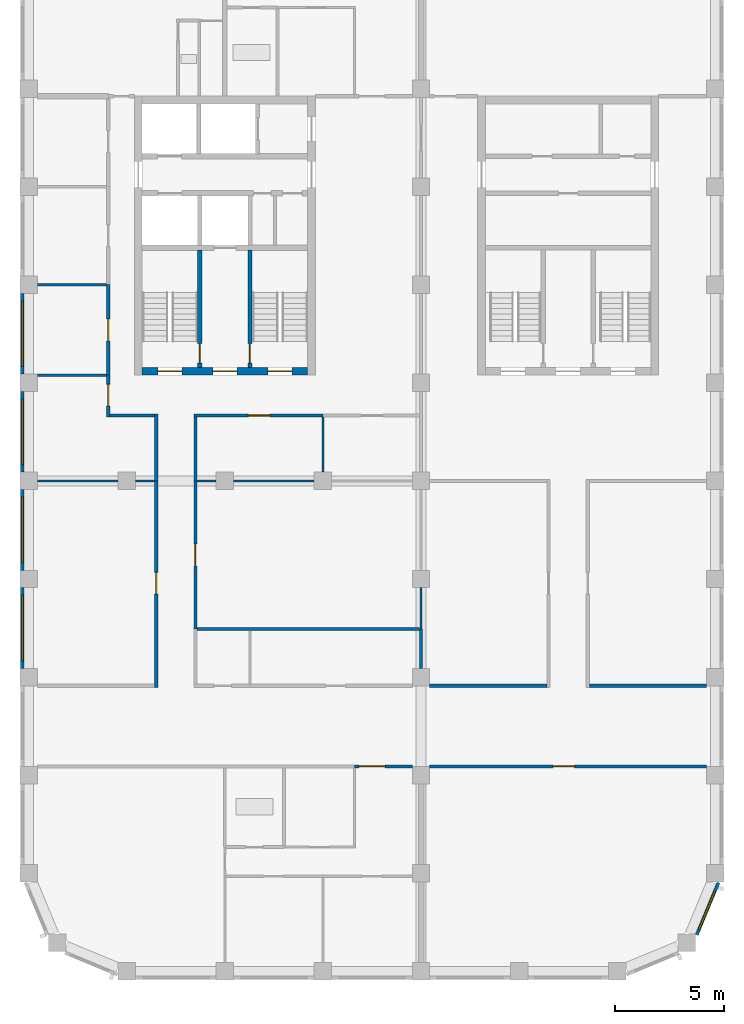
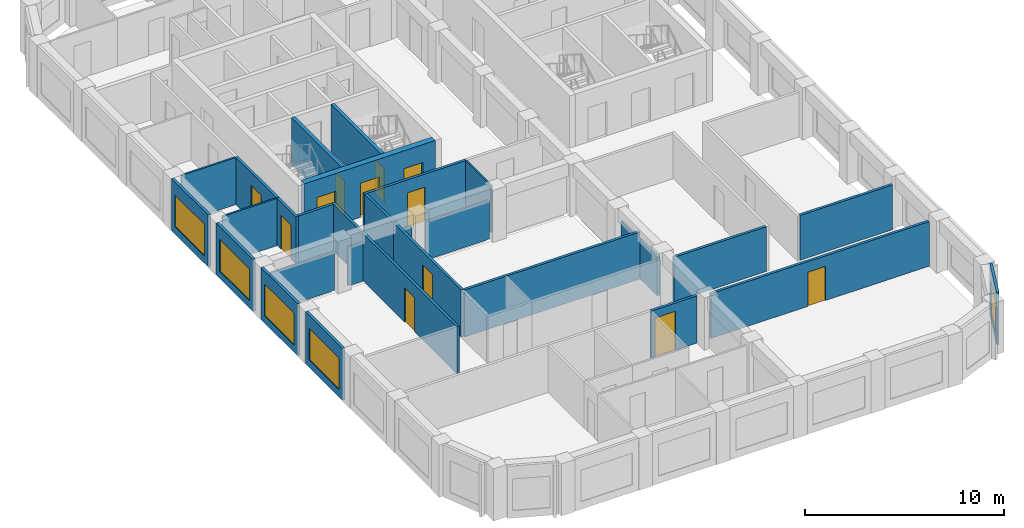
# One storey, part 3 of 9: 30 walls, 12 doors, 5 windows, 17 openings.
"""IFC4 building model written with IfcOpenShell, lengths in metres."""

from ifc_helpers import new_model, si_unit, direction, frame, frame_2d, origin, place, context, subcontext, project, spatial, rectangle, extrude, material, layer, layer_set, type_object, element, fill, save


model = new_model("IFC4")

# Units and contexts
model_context = context("Model", 3, precision=1e-05, world=origin(), true_north=direction((0.0, 1.0)))
body_context = subcontext(model_context, "Body", "Model", "MODEL_VIEW")
ifc_project = project(units=[si_unit("LENGTHUNIT", "METRE"), si_unit("AREAUNIT", "SQUARE_METRE"), si_unit("VOLUMEUNIT", "CUBIC_METRE"), si_unit("PLANEANGLEUNIT", "RADIAN"), si_unit("MASSUNIT", "GRAM", prefix="KILO")], contexts=[model_context])

# Site, building, storey
site_placement = place(None, origin())
site = spatial("IfcSite", under=ifc_project, at=site_placement, CompositionType="ELEMENT")
building_placement = place(site_placement, origin())
building = spatial("IfcBuilding", under=site, at=building_placement, Name="Girih Gate Residences", CompositionType="ELEMENT")
storey_placement = place(building_placement, frame((0.0, 0.0, 219.695068359375)))
storey = spatial("IfcBuildingStorey", under=building, at=storey_placement, Name="L61", CompositionType="ELEMENT", Elevation=219.695068359375)

# Wall, opening, door
ifc_material_1 = material(Name="Gypsum board on steel studs", Category="steel")
ifc_layer_1 = layer(ifc_material_1, 0.14990234375)
ifc_layer_set_1 = layer_set([ifc_layer_1], Name="Compartment wall 150 mm")
wall_type_1 = type_object("IfcWallType", Name="Compartment wall 150 mm", PredefinedType="PARTITIONING", material=ifc_layer_set_1)
wall_1_placement = place(storey_placement, frame((17.60009765625, 9.39990234375, 0.0), z_axis=(0.0, 0.0, 1.0), x_axis=(-1.0, 0.0, 0.0)))
wall_1 = element("IfcWall", 1, at=wall_1_placement, inside=storey, type_object=wall_type_1, Name="L61 partition", PredefinedType="PARTITIONING", context=body_context, shape_type="SweptSolid", body=[
    extrude(rectangle(XDim=2.650146484375, YDim=0.14990234375, at=frame_2d((1.3251953125, 0.0))), origin(), (0.0, 0.0, 1.0), 2.89990234375),
])
opening_1_placement = place(wall_1_placement, frame((1.25, 0.0, 0.0)))
opening_1 = element("IfcOpeningElement", 2, at=opening_1_placement, cuts=wall_1, Name="Opening A61-006", PredefinedType="OPENING", context=body_context, shape_type="SweptSolid", body=[
    extrude(rectangle(XDim=1.199951171875, YDim=2.39990234375, at=frame_2d((0.60009765625, 1.199951171875))), frame((0.0, 0.0849609375, 0.0), z_axis=(0.0, -1.0, 0.0), x_axis=(1.0, 0.0, 0.0)), (0.0, 0.0, 1.0), 0.169921875),
])
ifc_material_2 = material(Name="Timber, fire-rated core", Category="wood")
door_type_1 = type_object("IfcDoorType", Name="Villa entrance door 1200x2400 FD30S", OperationType="NOTDEFINED", PredefinedType="DOOR", material=ifc_material_2)
door_1_placement = place(opening_1_placement, origin())
door_1 = element("IfcDoor", 3, at=door_1_placement, inside=storey, type_object=door_type_1, Name="Door A61-006", OperationType="SINGLE_SWING_RIGHT", OverallHeight=2.39990234375, OverallWidth=1.199951171875, PredefinedType="DOOR", context=body_context, shape_type="SweptSolid", body=[
    extrude(rectangle(XDim=1.199951171875, YDim=2.39990234375, at=frame_2d((0.60009765625, 1.199951171875))), frame((0.0, 0.02490234375, 0.0), z_axis=(0.0, -1.0, 0.0), x_axis=(1.0, 0.0, 0.0)), (0.0, 0.0, 1.0), 0.050048828125),
])
fill(opening_1, door_1)

wall_2_placement = place(storey_placement, frame((7.64990234375, 22.5, 0.0), z_axis=(0.0, 0.0, 1.0), x_axis=(0.0, -1.0, 0.0)))
wall_2 = element("IfcWall", 4, at=wall_2_placement, inside=storey, type_object=wall_type_1, Name="L61 partition", PredefinedType="PARTITIONING", context=body_context, shape_type="SweptSolid", body=[
    extrude(rectangle(XDim=6.800048828125, YDim=0.14990234375, at=frame_2d((3.39990234375, 0.0))), origin(), (0.0, 0.0, 1.0), 2.89990234375),
])
opening_2_placement = place(wall_2_placement, frame((2.89990234375, 0.0, 0.0)))
opening_2 = element("IfcOpeningElement", 5, at=opening_2_placement, cuts=wall_2, Name="Opening A61-017", PredefinedType="OPENING", context=body_context, shape_type="SweptSolid", body=[
    extrude(rectangle(XDim=1.0, YDim=2.10009765625, at=frame_2d((0.5, 1.050048828125))), frame((0.0, 0.0849609375, 0.0), z_axis=(0.0, -1.0, 0.0), x_axis=(1.0, 0.0, 0.0)), (0.0, 0.0, 1.0), 0.169921875),
])
door_type_2 = type_object("IfcDoorType", Name="Amenity room door 1000x2100 FD30S", OperationType="NOTDEFINED", PredefinedType="DOOR", material=ifc_material_2)
door_2_placement = place(opening_2_placement, origin())
door_2 = element("IfcDoor", 6, at=door_2_placement, inside=storey, type_object=door_type_2, Name="Door A61-017", OperationType="SINGLE_SWING_LEFT", OverallHeight=2.10009765625, OverallWidth=1.0, PredefinedType="DOOR", context=body_context, shape_type="SweptSolid", body=[
    extrude(rectangle(XDim=1.0, YDim=2.10009765625, at=frame_2d((0.5, 1.050048828125))), frame((0.0, 0.02490234375, 0.0), z_axis=(0.0, -1.0, 0.0), x_axis=(1.0, 0.0, 0.0)), (0.0, 0.0, 1.0), 0.050048828125),
])
fill(opening_2, door_2)

# Wall
wall_3_placement = place(storey_placement, frame((7.72509765625, 15.699951171875, 0.0), z_axis=(0.0, 0.0, 1.0), x_axis=(1.0, 0.0, 0.0)))
element("IfcWall", 7, at=wall_3_placement, inside=storey, type_object=wall_type_1, Name="L61 partition", PredefinedType="PARTITIONING", context=body_context, shape_type="SweptSolid", body=[
    extrude(rectangle(XDim=10.199951171875, YDim=0.14990234375, at=frame_2d((5.10009765625, 0.0))), origin(), (0.0, 0.0, 1.0), 2.89990234375),
])

# Wall, opening, door
wall_4_placement = place(storey_placement, frame((31.10009765625, 9.39990234375, 0.0), z_axis=(0.0, 0.0, 1.0), x_axis=(-1.0, 0.0, 0.0)))
wall_4 = element("IfcWall", 8, at=wall_4_placement, inside=storey, type_object=wall_type_1, Name="L61 partition", PredefinedType="PARTITIONING", context=body_context, shape_type="SweptSolid", body=[
    extrude(rectangle(XDim=12.7001953125, YDim=0.14990234375, at=frame_2d((6.35009765625, 0.0))), origin(), (0.0, 0.0, 1.0), 2.75),
])
opening_3_placement = place(wall_4_placement, frame((6.050048828125, 0.0, 0.0)))
opening_3 = element("IfcOpeningElement", 9, at=opening_3_placement, cuts=wall_4, Name="Opening A61-020", PredefinedType="OPENING", context=body_context, shape_type="SweptSolid", body=[
    extrude(rectangle(XDim=1.0, YDim=2.10009765625, at=frame_2d((0.5, 1.050048828125))), frame((0.0, 0.0849609375, 0.0), z_axis=(0.0, -1.0, 0.0), x_axis=(1.0, 0.0, 0.0)), (0.0, 0.0, 1.0), 0.169921875),
])
door_3_placement = place(opening_3_placement, origin())
door_3 = element("IfcDoor", 10, at=door_3_placement, inside=storey, type_object=door_type_2, Name="Door A61-020", OperationType="SINGLE_SWING_RIGHT", OverallHeight=2.10009765625, OverallWidth=1.0, PredefinedType="DOOR", context=body_context, shape_type="SweptSolid", body=[
    extrude(rectangle(XDim=1.0, YDim=2.10009765625, at=frame_2d((0.5, 1.050048828125))), frame((0.0, 0.02490234375, 0.0), z_axis=(0.0, -1.0, 0.0), x_axis=(1.0, 0.0, 0.0)), (0.0, 0.0, 1.0), 0.050048828125),
])
fill(opening_3, door_3)

# Walls
for number, where, z_axis, x_axis, name in (
    (11, (18.39990234375, 13.10009765625, 0.0), (0.0, 0.0, 1.0), (1.0, 0.0, 0.0), "L61 partition"),
    (12, (25.72509765625, 13.10009765625, 0.0), (0.0, 0.0, 1.0), (1.0, 0.0, 0.0), "L61 partition"),
):
    element("IfcWall", number, at=place(storey_placement, frame(where, z_axis=z_axis, x_axis=x_axis)), inside=storey, type_object=wall_type_1, Name=name, PredefinedType="PARTITIONING", context=body_context, shape_type="SweptSolid", body=[
        extrude(rectangle(XDim=5.375, YDim=0.14990234375, at=frame_2d((2.6875, 0.0))), origin(), (0.0, 0.0, 1.0), 2.75),
    ])
wall_5_placement = place(storey_placement, frame((18.0, 13.89990234375, 0.0), z_axis=(0.0, 0.0, 1.0), x_axis=(0.0, 1.0, 0.0)))
element("IfcWall", 13, at=wall_5_placement, inside=storey, type_object=wall_type_1, Name="L61 partition", PredefinedType="PARTITIONING", context=body_context, shape_type="SweptSolid", body=[
    extrude(rectangle(XDim=1.800048828125, YDim=0.14990234375, at=frame_2d((0.89990234375, 0.0))), origin(), (0.0, 0.0, 1.0), 2.3798828125),
])
wall_6_placement = place(storey_placement, frame((5.85009765625, 22.5, 0.0), z_axis=(0.0, 0.0, 1.0), x_axis=(0.0, 1.0, 0.0)))
element("IfcWall", 14, at=wall_6_placement, inside=storey, type_object=wall_type_1, Name="L61 partition", PredefinedType="PARTITIONING", context=body_context, shape_type="SweptSolid", body=[
    extrude(rectangle(XDim=3.074951171875, YDim=0.14990234375, at=frame_2d((1.53759765625, 0.0))), origin(), (0.0, 0.0, 1.0), 2.89990234375),
])
wall_7_placement = place(storey_placement, frame((3.72509765625, 25.5, 0.0), z_axis=(0.0, 0.0, 1.0), x_axis=(1.0, 0.0, 0.0)))
element("IfcWall", 15, at=wall_7_placement, inside=storey, type_object=wall_type_1, Name="L61 partition", PredefinedType="PARTITIONING", context=body_context, shape_type="SweptSolid", body=[
    extrude(rectangle(XDim=2.0498046875, YDim=0.14990234375, at=frame_2d((1.02490234375, 0.0))), origin(), (0.0, 0.0, 1.0), 2.89990234375),
])

# Wall, opening, door
wall_8_placement = place(storey_placement, frame((3.64990234375, 25.425048828125, 0.0), z_axis=(0.0, 0.0, 1.0), x_axis=(0.0, 1.0, 0.0)))
wall_8 = element("IfcWall", 16, at=wall_8_placement, inside=storey, type_object=wall_type_1, Name="L61 partition", PredefinedType="PARTITIONING", context=body_context, shape_type="SweptSolid", body=[
    extrude(rectangle(XDim=1.925048828125, YDim=0.14990234375, at=frame_2d((0.96240234375, 0.0))), origin(), (0.0, 0.0, 1.0), 2.89990234375),
])
opening_4_placement = place(wall_8_placement, frame((0.5, 0.0, 0.0)))
opening_4 = element("IfcOpeningElement", 17, at=opening_4_placement, cuts=wall_8, Name="Opening A61-025", PredefinedType="OPENING", context=body_context, shape_type="SweptSolid", body=[
    extrude(rectangle(XDim=1.0, YDim=2.10009765625, at=frame_2d((0.5, 1.050048828125))), frame((0.0, 0.0849609375, 0.0), z_axis=(0.0, -1.0, 0.0), x_axis=(1.0, 0.0, 0.0)), (0.0, 0.0, 1.0), 0.169921875),
])
door_4_placement = place(opening_4_placement, origin())
door_4 = element("IfcDoor", 18, at=door_4_placement, inside=storey, type_object=door_type_2, Name="Door A61-025", OperationType="SINGLE_SWING_RIGHT", OverallHeight=2.10009765625, OverallWidth=1.0, PredefinedType="DOOR", context=body_context, shape_type="SweptSolid", body=[
    extrude(rectangle(XDim=1.0, YDim=2.10009765625, at=frame_2d((0.5, 1.050048828125))), frame((0.0, 0.02490234375, 0.0), z_axis=(0.0, -1.0, 0.0), x_axis=(1.0, 0.0, 0.0)), (0.0, 0.0, 1.0), 0.050048828125),
])
fill(opening_4, door_4)

wall_9_placement = place(storey_placement, frame((13.5, 25.5, 0.0), z_axis=(0.0, 0.0, 1.0), x_axis=(-1.0, 0.0, 0.0)))
wall_9 = element("IfcWall", 19, at=wall_9_placement, inside=storey, type_object=wall_type_1, Name="L61 partition", PredefinedType="PARTITIONING", context=body_context, shape_type="SweptSolid", body=[
    extrude(rectangle(XDim=5.925048828125, YDim=0.14990234375, at=frame_2d((2.96240234375, 0.0))), origin(), (0.0, 0.0, 1.0), 2.89990234375),
])
opening_5_placement = place(wall_9_placement, frame((2.425048828125, 0.0, 0.0)))
opening_5 = element("IfcOpeningElement", 20, at=opening_5_placement, cuts=wall_9, Name="Opening A61-026", PredefinedType="OPENING", context=body_context, shape_type="SweptSolid", body=[
    extrude(rectangle(XDim=1.0, YDim=2.10009765625, at=frame_2d((0.5, 1.050048828125))), frame((0.0, 0.0849609375, 0.0), z_axis=(0.0, -1.0, 0.0), x_axis=(1.0, 0.0, 0.0)), (0.0, 0.0, 1.0), 0.169921875),
])
door_5_placement = place(opening_5_placement, origin())
door_5 = element("IfcDoor", 21, at=door_5_placement, inside=storey, type_object=door_type_2, Name="Door A61-026", OperationType="SINGLE_SWING_LEFT", OverallHeight=2.10009765625, OverallWidth=1.0, PredefinedType="DOOR", context=body_context, shape_type="SweptSolid", body=[
    extrude(rectangle(XDim=1.0, YDim=2.10009765625, at=frame_2d((0.5, 1.050048828125))), frame((0.0, 0.02490234375, 0.0), z_axis=(0.0, -1.0, 0.0), x_axis=(1.0, 0.0, 0.0)), (0.0, 0.0, 1.0), 0.050048828125),
])
fill(opening_5, door_5)

# Wall
wall_10_placement = place(storey_placement, frame((7.64990234375, 22.5, 0.0), z_axis=(0.0, 0.0, 1.0), x_axis=(0.0, 1.0, 0.0)))
element("IfcWall", 22, at=wall_10_placement, inside=storey, type_object=wall_type_1, Name="L61 partition", PredefinedType="PARTITIONING", context=body_context, shape_type="SweptSolid", body=[
    extrude(rectangle(XDim=2.925048828125, YDim=0.14990234375, at=frame_2d((1.46240234375, 0.0))), origin(), (0.0, 0.0, 1.0), 2.89990234375),
])

# Wall, opening, door
wall_11_placement = place(storey_placement, frame((3.64990234375, 27.35009765625, 0.0), z_axis=(0.0, 0.0, 1.0), x_axis=(0.0, 1.0, 0.0)))
wall_11 = element("IfcWall", 23, at=wall_11_placement, inside=storey, type_object=wall_type_1, Name="L61 partition", PredefinedType="PARTITIONING", context=body_context, shape_type="SweptSolid", body=[
    extrude(rectangle(XDim=4.14990234375, YDim=0.14990234375, at=frame_2d((2.074951171875, 0.0))), origin(), (0.0, 0.0, 1.0), 2.89990234375),
])
opening_6_placement = place(wall_11_placement, frame((1.574951171875, 0.0, 0.0)))
opening_6 = element("IfcOpeningElement", 24, at=opening_6_placement, cuts=wall_11, Name="Opening A61-028", PredefinedType="OPENING", context=body_context, shape_type="SweptSolid", body=[
    extrude(rectangle(XDim=1.0, YDim=2.10009765625, at=frame_2d((0.5, 1.050048828125))), frame((0.0, 0.0849609375, 0.0), z_axis=(0.0, -1.0, 0.0), x_axis=(1.0, 0.0, 0.0)), (0.0, 0.0, 1.0), 0.169921875),
])
door_6_placement = place(opening_6_placement, origin())
door_6 = element("IfcDoor", 25, at=door_6_placement, inside=storey, type_object=door_type_2, Name="Door A61-028", OperationType="SINGLE_SWING_RIGHT", OverallHeight=2.10009765625, OverallWidth=1.0, PredefinedType="DOOR", context=body_context, shape_type="SweptSolid", body=[
    extrude(rectangle(XDim=1.0, YDim=2.10009765625, at=frame_2d((0.5, 1.050048828125))), frame((0.0, 0.02490234375, 0.0), z_axis=(0.0, -1.0, 0.0), x_axis=(1.0, 0.0, 0.0)), (0.0, 0.0, 1.0), 0.050048828125),
])
fill(opening_6, door_6)

wall_12_placement = place(storey_placement, frame((5.85009765625, 13.02490234375, 0.0), z_axis=(0.0, 0.0, 1.0), x_axis=(0.0, 1.0, 0.0)))
wall_12 = element("IfcWall", 26, at=wall_12_placement, inside=storey, type_object=wall_type_1, Name="L61 partition", PredefinedType="PARTITIONING", context=body_context, shape_type="SweptSolid", body=[
    extrude(rectangle(XDim=9.47509765625, YDim=0.14990234375, at=frame_2d((4.737548828125, 0.0))), origin(), (0.0, 0.0, 1.0), 2.89990234375),
])
opening_7_placement = place(wall_12_placement, frame((4.27490234375, 0.0, 0.0)))
opening_7 = element("IfcOpeningElement", 27, at=opening_7_placement, cuts=wall_12, Name="Opening A61-031", PredefinedType="OPENING", context=body_context, shape_type="SweptSolid", body=[
    extrude(rectangle(XDim=1.0, YDim=2.10009765625, at=frame_2d((0.5, 1.050048828125))), frame((0.0, 0.0849609375, 0.0), z_axis=(0.0, -1.0, 0.0), x_axis=(1.0, 0.0, 0.0)), (0.0, 0.0, 1.0), 0.169921875),
])
door_7_placement = place(opening_7_placement, origin())
door_7 = element("IfcDoor", 28, at=door_7_placement, inside=storey, type_object=door_type_2, Name="Door A61-031", OperationType="SINGLE_SWING_RIGHT", OverallHeight=2.10009765625, OverallWidth=1.0, PredefinedType="DOOR", context=body_context, shape_type="SweptSolid", body=[
    extrude(rectangle(XDim=1.0, YDim=2.10009765625, at=frame_2d((0.5, 1.050048828125))), frame((0.0, 0.02490234375, 0.0), z_axis=(0.0, -1.0, 0.0), x_axis=(1.0, 0.0, 0.0)), (0.0, 0.0, 1.0), 0.050048828125),
])
fill(opening_7, door_7)

# Wall, openings, doors
ifc_material_3 = material(Name="Concrete C60/75", Category="concrete")
ifc_layer_2 = layer(ifc_material_3, 0.35009765625)
ifc_layer_set_2 = layer_set([ifc_layer_2], Name="Core wall RC 350 Concrete C60/75")
wall_type_2 = type_object("IfcWallType", Name="Core wall RC 350 Concrete C60/75", PredefinedType="SOLIDWALL", material=ifc_layer_set_2)
wall_13_placement = place(storey_placement, frame((5.199951171875, 27.52490234375, 0.0), z_axis=(0.0, 0.0, 1.0), x_axis=(1.0, 0.0, 0.0)))
wall_13 = element("IfcWall", 29, at=wall_13_placement, inside=storey, type_object=wall_type_2, Name="Core wall W-S L61", PredefinedType="SOLIDWALL", context=body_context, shape_type="SweptSolid", body=[
    extrude(rectangle(XDim=7.60009765625, YDim=0.35009765625, at=frame_2d((3.800048828125, 0.0))), origin(), (0.0, 0.0, 1.0), 3.199951171875),
])
opening_8_placement = place(wall_13_placement, frame((0.72509765625, 0.0, 0.0)))
opening_8 = element("IfcOpeningElement", 30, at=opening_8_placement, cuts=wall_13, Name="Opening D-L61-W-009", PredefinedType="OPENING", context=body_context, shape_type="SweptSolid", body=[
    extrude(rectangle(XDim=1.10009765625, YDim=2.10009765625, at=frame_2d((0.550048828125, 1.050048828125))), frame((0.0, 0.18505859375, 0.0), z_axis=(0.0, -1.0, 0.0), x_axis=(1.0, 0.0, 0.0)), (0.0, 0.0, 1.0), 0.3701171875),
])
opening_9_placement = place(wall_13_placement, frame((3.25, 0.0, 0.0)))
opening_9 = element("IfcOpeningElement", 31, at=opening_9_placement, cuts=wall_13, Name="Opening D-L61-W-010", PredefinedType="OPENING", context=body_context, shape_type="SweptSolid", body=[
    extrude(rectangle(XDim=1.10009765625, YDim=2.10009765625, at=frame_2d((0.550048828125, 1.050048828125))), frame((0.0, 0.18505859375, 0.0), z_axis=(0.0, -1.0, 0.0), x_axis=(1.0, 0.0, 0.0)), (0.0, 0.0, 1.0), 0.3701171875),
])
opening_10_placement = place(wall_13_placement, frame((5.77490234375, 0.0, 0.0)))
opening_10 = element("IfcOpeningElement", 32, at=opening_10_placement, cuts=wall_13, Name="Opening D-L61-W-011", PredefinedType="OPENING", context=body_context, shape_type="SweptSolid", body=[
    extrude(rectangle(XDim=1.10009765625, YDim=2.10009765625, at=frame_2d((0.550048828125, 1.050048828125))), frame((0.0, 0.18505859375, 0.0), z_axis=(0.0, -1.0, 0.0), x_axis=(1.0, 0.0, 0.0)), (0.0, 0.0, 1.0), 0.3701171875),
])
ifc_material_4 = material(Name="Painted steel, fire-resisting", Category="steel")
door_type_3 = type_object("IfcDoorType", Name="Fire door 1100x2100", OperationType="SINGLE_SWING_LEFT", PredefinedType="DOOR", material=ifc_material_4)
door_8_placement = place(opening_8_placement, origin())
door_8 = element("IfcDoor", 33, at=door_8_placement, inside=storey, type_object=door_type_3, Name="L61 W core door sta-out", OperationType="SINGLE_SWING_LEFT", OverallHeight=2.10009765625, OverallWidth=1.10009765625, PredefinedType="DOOR", context=body_context, shape_type="SweptSolid", body=[
    extrude(rectangle(XDim=1.10009765625, YDim=2.10009765625, at=frame_2d((0.550048828125, 1.050048828125))), frame((0.0, 0.02490234375, 0.0), z_axis=(0.0, -1.0, 0.0), x_axis=(1.0, 0.0, 0.0)), (0.0, 0.0, 1.0), 0.050048828125),
])
fill(opening_8, door_8)
door_9_placement = place(opening_9_placement, origin())
door_9 = element("IfcDoor", 34, at=door_9_placement, inside=storey, type_object=door_type_3, Name="L61 W core door ffl-out", OperationType="SINGLE_SWING_LEFT", OverallHeight=2.10009765625, OverallWidth=1.10009765625, PredefinedType="DOOR", context=body_context, shape_type="SweptSolid", body=[
    extrude(rectangle(XDim=1.10009765625, YDim=2.10009765625, at=frame_2d((0.550048828125, 1.050048828125))), frame((0.0, 0.02490234375, 0.0), z_axis=(0.0, -1.0, 0.0), x_axis=(1.0, 0.0, 0.0)), (0.0, 0.0, 1.0), 0.050048828125),
])
fill(opening_9, door_9)
door_10_placement = place(opening_10_placement, origin())
door_10 = element("IfcDoor", 35, at=door_10_placement, inside=storey, type_object=door_type_3, Name="L61 W core door stb-out", OperationType="SINGLE_SWING_LEFT", OverallHeight=2.10009765625, OverallWidth=1.10009765625, PredefinedType="DOOR", context=body_context, shape_type="SweptSolid", body=[
    extrude(rectangle(XDim=1.10009765625, YDim=2.10009765625, at=frame_2d((0.550048828125, 1.050048828125))), frame((0.0, 0.02490234375, 0.0), z_axis=(0.0, -1.0, 0.0), x_axis=(1.0, 0.0, 0.0)), (0.0, 0.0, 1.0), 0.050048828125),
])
fill(opening_10, door_10)

# Walls
ifc_layer_3 = layer(ifc_material_1, 0.10009765625)
ifc_layer_set_3 = layer_set([ifc_layer_3], Name="Partition 100 mm")
wall_type_3 = type_object("IfcWallType", Name="Partition 100 mm", PredefinedType="PARTITIONING", material=ifc_layer_set_3)
wall_14_placement = place(storey_placement, frame((18.0, 15.699951171875, 0.0), z_axis=(0.0, 0.0, 1.0), x_axis=(0.0, 1.0, 0.0)))
element("IfcWall", 36, at=wall_14_placement, inside=storey, type_object=wall_type_3, Name="L61 partition", PredefinedType="PARTITIONING", context=body_context, shape_type="SweptSolid", body=[
    extrude(rectangle(XDim=1.900146484375, YDim=0.10009765625, at=frame_2d((0.9501953125, 0.0))), origin(), (0.0, 0.0, 1.0), 2.3798828125),
])
wall_15_placement = place(storey_placement, frame((7.72509765625, 22.5, 0.0), z_axis=(0.0, 0.0, 1.0), x_axis=(1.0, 0.0, 0.0)))
element("IfcWall", 37, at=wall_15_placement, inside=storey, type_object=wall_type_3, Name="L61 partition", PredefinedType="PARTITIONING", context=body_context, shape_type="SweptSolid", body=[
    extrude(rectangle(XDim=0.875, YDim=0.10009765625, at=frame_2d((0.4375, 0.0))), origin(), (0.0, 0.0, 1.0), 2.3798828125),
])
wall_16_placement = place(storey_placement, frame((9.39990234375, 22.5, 0.0), z_axis=(0.0, 0.0, 1.0), x_axis=(1.0, 0.0, 0.0)))
element("IfcWall", 38, at=wall_16_placement, inside=storey, type_object=wall_type_3, Name="L61 partition", PredefinedType="PARTITIONING", context=body_context, shape_type="SweptSolid", body=[
    extrude(rectangle(XDim=3.7001953125, YDim=0.10009765625, at=frame_2d((1.85009765625, 0.0))), origin(), (0.0, 0.0, 1.0), 2.3798828125),
])
wall_17_placement = place(storey_placement, frame((0.39990234375, 27.35009765625, 0.0), z_axis=(0.0, 0.0, 1.0), x_axis=(1.0, 0.0, 0.0)))
element("IfcWall", 39, at=wall_17_placement, inside=storey, type_object=wall_type_3, Name="L61 partition", PredefinedType="PARTITIONING", context=body_context, shape_type="SweptSolid", body=[
    extrude(rectangle(XDim=3.175048828125, YDim=0.10009765625, at=frame_2d((1.58740234375, 0.0))), origin(), (0.0, 0.0, 1.0), 2.89990234375),
])
wall_18_placement = place(storey_placement, frame((4.89990234375, 22.5, 0.0), z_axis=(0.0, 0.0, 1.0), x_axis=(1.0, 0.0, 0.0)))
element("IfcWall", 40, at=wall_18_placement, inside=storey, type_object=wall_type_3, Name="L61 partition", PredefinedType="PARTITIONING", context=body_context, shape_type="SweptSolid", body=[
    extrude(rectangle(XDim=0.875, YDim=0.10009765625, at=frame_2d((0.4375, 0.0))), origin(), (0.0, 0.0, 1.0), 2.3798828125),
])
wall_19_placement = place(storey_placement, frame((0.39990234375, 22.5, 0.0), z_axis=(0.0, 0.0, 1.0), x_axis=(1.0, 0.0, 0.0)))
element("IfcWall", 41, at=wall_19_placement, inside=storey, type_object=wall_type_3, Name="L61 partition", PredefinedType="PARTITIONING", context=body_context, shape_type="SweptSolid", body=[
    extrude(rectangle(XDim=3.7001953125, YDim=0.10009765625, at=frame_2d((1.85009765625, 0.0))), origin(), (0.0, 0.0, 1.0), 2.3798828125),
])
wall_20_placement = place(storey_placement, frame((13.5, 22.89990234375, 0.0), z_axis=(0.0, 0.0, 1.0), x_axis=(0.0, 1.0, 0.0)))
element("IfcWall", 42, at=wall_20_placement, inside=storey, type_object=wall_type_3, Name="L61 partition", PredefinedType="PARTITIONING", context=body_context, shape_type="SweptSolid", body=[
    extrude(rectangle(XDim=2.525146484375, YDim=0.10009765625, at=frame_2d((1.2626953125, 0.0))), origin(), (0.0, 0.0, 1.0), 2.89990234375),
])
wall_21_placement = place(storey_placement, frame((0.39990234375, 31.5, 0.0), z_axis=(0.0, 0.0, 1.0), x_axis=(1.0, 0.0, 0.0)))
element("IfcWall", 43, at=wall_21_placement, inside=storey, type_object=wall_type_3, Name="L61 partition", PredefinedType="PARTITIONING", context=body_context, shape_type="SweptSolid", body=[
    extrude(rectangle(XDim=3.175048828125, YDim=0.10009765625, at=frame_2d((1.58740234375, 0.0))), origin(), (0.0, 0.0, 1.0), 2.89990234375),
])

# Wall, opening, window
ifc_material_5 = material(Name="Precast concrete C50/60", Category="concrete")
ifc_layer_4 = layer(ifc_material_5, 0.050048828125, Name="Outer leaf")
ifc_material_6 = material(Name="Rigid PIR insulation")
ifc_layer_5 = layer(ifc_material_6, 0.06005859375, Name="Insulation")
ifc_material_7 = material(Name="Precast concrete C40/50", Category="concrete")
ifc_layer_6 = layer(ifc_material_7, 0.0400390625, Name="Inner leaf")
ifc_layer_set_4 = layer_set([ifc_layer_4, ifc_layer_5, ifc_layer_6], Name="Precast concrete C50/60 external wall 150")
wall_type_4 = type_object("IfcWallType", Name="Precast concrete C50/60 external wall 150", PredefinedType="SOLIDWALL", material=ifc_layer_set_4)
wall_22_placement = place(storey_placement, frame((31.647216796875, 4.0712890625, 0.0), z_axis=(0.0, 0.0, 1.0), x_axis=(-0.382669406082, -0.923885342263, 0.0)))
wall_22 = element("IfcWall", 44, at=wall_22_placement, inside=storey, type_object=wall_type_4, Name="External wall SE0302_0013.0", PredefinedType="SOLIDWALL", context=body_context, shape_type="SweptSolid", body=[
    extrude(rectangle(XDim=2.602294921875, YDim=0.14990234375, at=frame_2d((1.30126953125, 0.0))), origin(), (0.0, 0.0, 1.0), 3.199951171875),
])
opening_11_placement = place(wall_22_placement, frame((0.432373046875, 0.0, 0.449951171875)))
opening_11 = element("IfcOpeningElement", 45, at=opening_11_placement, cuts=wall_22, Name="Opening W-2G", PredefinedType="OPENING", context=body_context, shape_type="SweptSolid", body=[
    extrude(rectangle(XDim=1.89990234375, YDim=1.949951171875, at=frame_2d((0.949951171875, 0.97509765625))), frame((0.0, 0.0849609375, 0.0), z_axis=(0.0, -1.0, 0.0), x_axis=(1.0, 0.0, 0.0)), (0.0, 0.0, 1.0), 0.169921875),
])
ifc_material_8 = material(Name="Double glazing in aluminium frame", Category="aluminium")
window_type_1 = type_object("IfcWindowType", Name="Window W-2G 1900x1950", PartitioningType="SINGLE_PANEL", PredefinedType="WINDOW", material=ifc_material_8)
window_1_placement = place(opening_11_placement, origin())
window_1 = element("IfcWindow", 46, at=window_1_placement, inside=storey, type_object=window_type_1, Name="Window W-2G SE0302_0013.0", OverallHeight=1.949951171875, OverallWidth=1.89990234375, PartitioningType="SINGLE_PANEL", PredefinedType="WINDOW", context=body_context, shape_type="SweptSolid", body=[
    extrude(rectangle(XDim=1.89990234375, YDim=1.949951171875, at=frame_2d((0.949951171875, 0.97509765625))), frame((0.0, 0.030029296875, 0.0), z_axis=(0.0, -1.0, 0.0), x_axis=(1.0, 0.0, 0.0)), (0.0, 0.0, 1.0), 0.06005859375),
])
fill(opening_11, window_1)

wall_23_placement = place(storey_placement, frame((-0.300048828125, 27.39990234375, 0.0), z_axis=(0.0, 0.0, 1.0), x_axis=(0.0, 1.0, 0.0)))
wall_23 = element("IfcWall", 47, at=wall_23_placement, inside=storey, type_object=wall_type_4, Name="External wall W0000_0450.3", PredefinedType="SOLIDWALL", context=body_context, shape_type="SweptSolid", body=[
    extrude(rectangle(XDim=3.7001953125, YDim=0.14990234375, at=frame_2d((1.85009765625, 0.0))), origin(), (0.0, 0.0, 1.0), 3.199951171875),
])
opening_12_placement = place(wall_23_placement, frame((0.35009765625, 0.0, 0.449951171875)))
opening_12 = element("IfcOpeningElement", 48, at=opening_12_placement, cuts=wall_23, Name="Opening W-1D", PredefinedType="OPENING", context=body_context, shape_type="SweptSolid", body=[
    extrude(rectangle(XDim=3.0, YDim=1.949951171875, at=frame_2d((1.5, 0.97509765625))), frame((0.0, 0.0849609375, 0.0), z_axis=(0.0, -1.0, 0.0), x_axis=(1.0, 0.0, 0.0)), (0.0, 0.0, 1.0), 0.169921875),
])
window_type_2 = type_object("IfcWindowType", Name="Window W-1D 3000x1950", PartitioningType="SINGLE_PANEL", PredefinedType="WINDOW", material=ifc_material_8)
window_2_placement = place(opening_12_placement, origin())
window_2 = element("IfcWindow", 49, at=window_2_placement, inside=storey, type_object=window_type_2, Name="Window W-1D W0000_0450.3", OverallHeight=1.949951171875, OverallWidth=3.0, PartitioningType="SINGLE_PANEL", PredefinedType="WINDOW", context=body_context, shape_type="SweptSolid", body=[
    extrude(rectangle(XDim=3.0, YDim=1.949951171875, at=frame_2d((1.5, 0.97509765625))), frame((0.0, 0.030029296875, 0.0), z_axis=(0.0, -1.0, 0.0), x_axis=(1.0, 0.0, 0.0)), (0.0, 0.0, 1.0), 0.06005859375),
])
fill(opening_12, window_2)

wall_24_placement = place(storey_placement, frame((-0.300048828125, 22.89990234375, 0.0), z_axis=(0.0, 0.0, 1.0), x_axis=(0.0, 1.0, 0.0)))
wall_24 = element("IfcWall", 50, at=wall_24_placement, inside=storey, type_object=wall_type_4, Name="External wall W0000_0450.4", PredefinedType="SOLIDWALL", context=body_context, shape_type="SweptSolid", body=[
    extrude(rectangle(XDim=3.7001953125, YDim=0.14990234375, at=frame_2d((1.85009765625, 0.0))), origin(), (0.0, 0.0, 1.0), 3.199951171875),
])
opening_13_placement = place(wall_24_placement, frame((0.35009765625, 0.0, 0.449951171875)))
opening_13 = element("IfcOpeningElement", 51, at=opening_13_placement, cuts=wall_24, Name="Opening W-1D", PredefinedType="OPENING", context=body_context, shape_type="SweptSolid", body=[
    extrude(rectangle(XDim=3.0, YDim=1.949951171875, at=frame_2d((1.5, 0.97509765625))), frame((0.0, 0.0849609375, 0.0), z_axis=(0.0, -1.0, 0.0), x_axis=(1.0, 0.0, 0.0)), (0.0, 0.0, 1.0), 0.169921875),
])
window_3_placement = place(opening_13_placement, origin())
window_3 = element("IfcWindow", 52, at=window_3_placement, inside=storey, type_object=window_type_2, Name="Window W-1D W0000_0450.4", OverallHeight=1.949951171875, OverallWidth=3.0, PartitioningType="SINGLE_PANEL", PredefinedType="WINDOW", context=body_context, shape_type="SweptSolid", body=[
    extrude(rectangle(XDim=3.0, YDim=1.949951171875, at=frame_2d((1.5, 0.97509765625))), frame((0.0, 0.030029296875, 0.0), z_axis=(0.0, -1.0, 0.0), x_axis=(1.0, 0.0, 0.0)), (0.0, 0.0, 1.0), 0.06005859375),
])
fill(opening_13, window_3)

wall_25_placement = place(storey_placement, frame((-0.300048828125, 18.39990234375, 0.0), z_axis=(0.0, 0.0, 1.0), x_axis=(0.0, 1.0, 0.0)))
wall_25 = element("IfcWall", 53, at=wall_25_placement, inside=storey, type_object=wall_type_4, Name="External wall W0000_0450.5", PredefinedType="SOLIDWALL", context=body_context, shape_type="SweptSolid", body=[
    extrude(rectangle(XDim=3.7001953125, YDim=0.14990234375, at=frame_2d((1.85009765625, 0.0))), origin(), (0.0, 0.0, 1.0), 3.199951171875),
])
opening_14_placement = place(wall_25_placement, frame((0.35009765625, 0.0, 0.449951171875)))
opening_14 = element("IfcOpeningElement", 54, at=opening_14_placement, cuts=wall_25, Name="Opening W-1D", PredefinedType="OPENING", context=body_context, shape_type="SweptSolid", body=[
    extrude(rectangle(XDim=3.0, YDim=1.949951171875, at=frame_2d((1.5, 0.97509765625))), frame((0.0, 0.0849609375, 0.0), z_axis=(0.0, -1.0, 0.0), x_axis=(1.0, 0.0, 0.0)), (0.0, 0.0, 1.0), 0.169921875),
])
window_4_placement = place(opening_14_placement, origin())
window_4 = element("IfcWindow", 55, at=window_4_placement, inside=storey, type_object=window_type_2, Name="Window W-1D W0000_0450.5", OverallHeight=1.949951171875, OverallWidth=3.0, PartitioningType="SINGLE_PANEL", PredefinedType="WINDOW", context=body_context, shape_type="SweptSolid", body=[
    extrude(rectangle(XDim=3.0, YDim=1.949951171875, at=frame_2d((1.5, 0.97509765625))), frame((0.0, 0.030029296875, 0.0), z_axis=(0.0, -1.0, 0.0), x_axis=(1.0, 0.0, 0.0)), (0.0, 0.0, 1.0), 0.06005859375),
])
fill(opening_14, window_4)

wall_26_placement = place(storey_placement, frame((-0.300048828125, 13.89990234375, 0.0), z_axis=(0.0, 0.0, 1.0), x_axis=(0.0, 1.0, 0.0)))
wall_26 = element("IfcWall", 56, at=wall_26_placement, inside=storey, type_object=wall_type_4, Name="External wall W0000_0450.6", PredefinedType="SOLIDWALL", context=body_context, shape_type="SweptSolid", body=[
    extrude(rectangle(XDim=3.7001953125, YDim=0.14990234375, at=frame_2d((1.85009765625, 0.0))), origin(), (0.0, 0.0, 1.0), 3.199951171875),
])
opening_15_placement = place(wall_26_placement, frame((0.35009765625, 0.0, 0.449951171875)))
opening_15 = element("IfcOpeningElement", 57, at=opening_15_placement, cuts=wall_26, Name="Opening W-1D", PredefinedType="OPENING", context=body_context, shape_type="SweptSolid", body=[
    extrude(rectangle(XDim=3.0, YDim=1.949951171875, at=frame_2d((1.5, 0.97509765625))), frame((0.0, 0.0849609375, 0.0), z_axis=(0.0, -1.0, 0.0), x_axis=(1.0, 0.0, 0.0)), (0.0, 0.0, 1.0), 0.169921875),
])
window_5_placement = place(opening_15_placement, origin())
window_5 = element("IfcWindow", 58, at=window_5_placement, inside=storey, type_object=window_type_2, Name="Window W-1D W0000_0450.6", OverallHeight=1.949951171875, OverallWidth=3.0, PartitioningType="SINGLE_PANEL", PredefinedType="WINDOW", context=body_context, shape_type="SweptSolid", body=[
    extrude(rectangle(XDim=3.0, YDim=1.949951171875, at=frame_2d((1.5, 0.97509765625))), frame((0.0, 0.030029296875, 0.0), z_axis=(0.0, -1.0, 0.0), x_axis=(1.0, 0.0, 0.0)), (0.0, 0.0, 1.0), 0.06005859375),
])
fill(opening_15, window_5)

# Wall, opening, door
ifc_material_9 = material(Name="Concrete C40/50", Category="concrete")
ifc_layer_7 = layer(ifc_material_9, 0.199951171875)
ifc_layer_set_5 = layer_set([ifc_layer_7], Name="Shaft wall 200")
wall_type_5 = type_object("IfcWallType", Name="Shaft wall 200", PredefinedType="SOLIDWALL", material=ifc_layer_set_5)
wall_27_placement = place(storey_placement, frame((7.85009765625, 27.699951171875, 0.0), z_axis=(0.0, 0.0, 1.0), x_axis=(0.0, 1.0, 0.0)))
wall_27 = element("IfcWall", 59, at=wall_27_placement, inside=storey, type_object=wall_type_5, Name="L61 W core wall V1a", PredefinedType="SOLIDWALL", context=body_context, shape_type="SweptSolid", body=[
    extrude(rectangle(XDim=5.400146484375, YDim=0.199951171875, at=frame_2d((2.7001953125, 0.0))), origin(), (0.0, 0.0, 1.0), 2.89990234375),
])
opening_16_placement = place(wall_27_placement, frame((0.199951171875, 0.0, 0.0)))
opening_16 = element("IfcOpeningElement", 60, at=opening_16_placement, cuts=wall_27, Name="Opening D-L61-W-001", PredefinedType="OPENING", context=body_context, shape_type="SweptSolid", body=[
    extrude(rectangle(XDim=0.89990234375, YDim=2.10009765625, at=frame_2d((0.449951171875, 1.050048828125))), frame((0.0, 0.10986328125, 0.0), z_axis=(0.0, -1.0, 0.0), x_axis=(1.0, 0.0, 0.0)), (0.0, 0.0, 1.0), 0.219970703125),
])
door_type_4 = type_object("IfcDoorType", Name="Fire door 900x2100", OperationType="SINGLE_SWING_LEFT", PredefinedType="DOOR", material=ifc_material_4)
door_11_placement = place(opening_16_placement, origin())
door_11 = element("IfcDoor", 61, at=door_11_placement, inside=storey, type_object=door_type_4, Name="L61 W door stair 1 to firefighting lobby", OperationType="SINGLE_SWING_LEFT", OverallHeight=2.10009765625, OverallWidth=0.89990234375, PredefinedType="DOOR", context=body_context, shape_type="SweptSolid", body=[
    extrude(rectangle(XDim=0.89990234375, YDim=2.10009765625, at=frame_2d((0.449951171875, 1.050048828125))), frame((0.0, 0.02490234375, 0.0), z_axis=(0.0, -1.0, 0.0), x_axis=(1.0, 0.0, 0.0)), (0.0, 0.0, 1.0), 0.050048828125),
])
fill(opening_16, door_11)

wall_28_placement = place(storey_placement, frame((10.14990234375, 27.699951171875, 0.0), z_axis=(0.0, 0.0, 1.0), x_axis=(0.0, 1.0, 0.0)))
wall_28 = element("IfcWall", 62, at=wall_28_placement, inside=storey, type_object=wall_type_5, Name="L61 W core wall V2a", PredefinedType="SOLIDWALL", context=body_context, shape_type="SweptSolid", body=[
    extrude(rectangle(XDim=5.400146484375, YDim=0.199951171875, at=frame_2d((2.7001953125, 0.0))), origin(), (0.0, 0.0, 1.0), 2.89990234375),
])
opening_17_placement = place(wall_28_placement, frame((0.199951171875, 0.0, 0.0)))
opening_17 = element("IfcOpeningElement", 63, at=opening_17_placement, cuts=wall_28, Name="Opening D-L61-W-002", PredefinedType="OPENING", context=body_context, shape_type="SweptSolid", body=[
    extrude(rectangle(XDim=0.89990234375, YDim=2.10009765625, at=frame_2d((0.449951171875, 1.050048828125))), frame((0.0, 0.10986328125, 0.0), z_axis=(0.0, -1.0, 0.0), x_axis=(1.0, 0.0, 0.0)), (0.0, 0.0, 1.0), 0.219970703125),
])
door_12_placement = place(opening_17_placement, origin())
door_12 = element("IfcDoor", 64, at=door_12_placement, inside=storey, type_object=door_type_4, Name="L61 W door stair 2 to firefighting lobby", OperationType="SINGLE_SWING_LEFT", OverallHeight=2.10009765625, OverallWidth=0.89990234375, PredefinedType="DOOR", context=body_context, shape_type="SweptSolid", body=[
    extrude(rectangle(XDim=0.89990234375, YDim=2.10009765625, at=frame_2d((0.449951171875, 1.050048828125))), frame((0.0, 0.02490234375, 0.0), z_axis=(0.0, -1.0, 0.0), x_axis=(1.0, 0.0, 0.0)), (0.0, 0.0, 1.0), 0.050048828125),
])
fill(opening_17, door_12)

save(model, "model.ifc")
